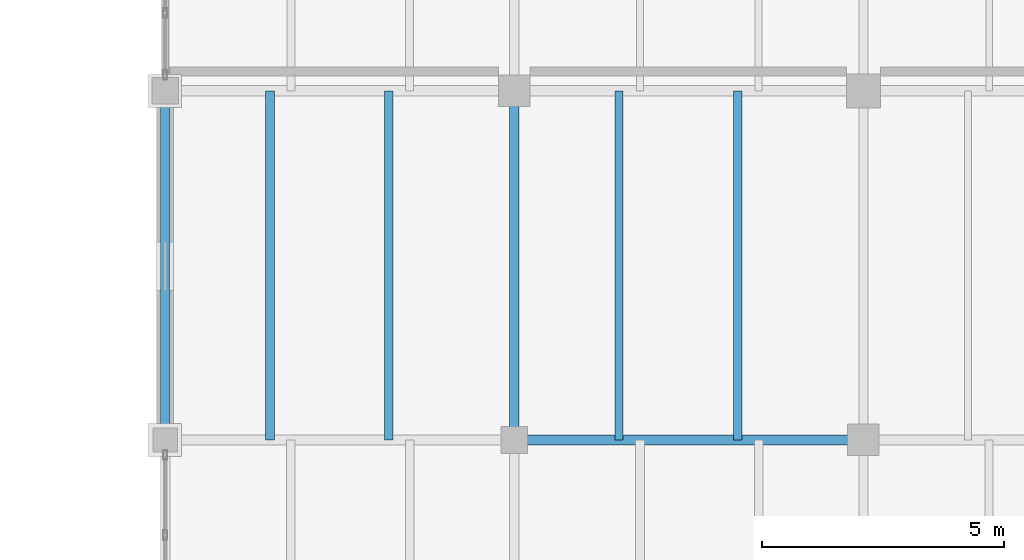
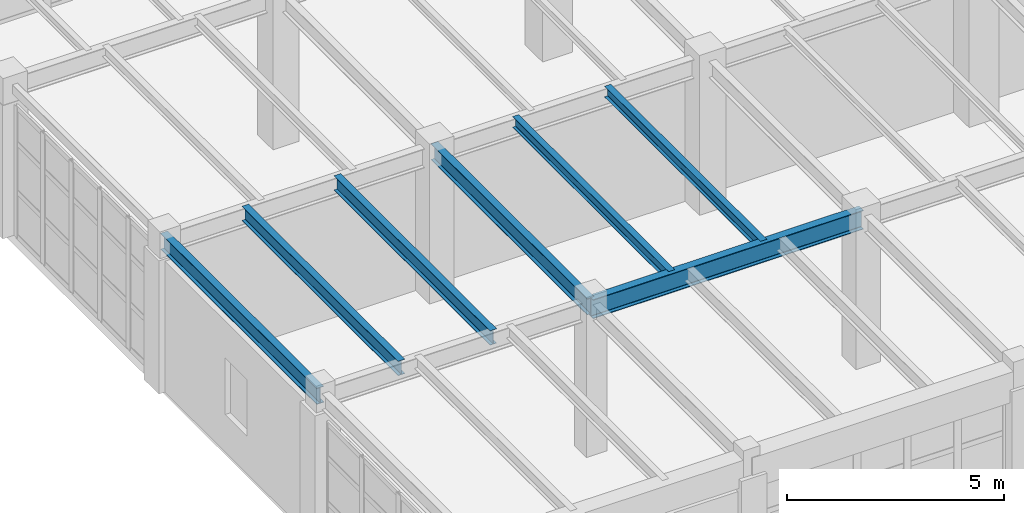
# One storey, part 56 of 137: 7 beams.
"""IFC4 building model written with IfcOpenShell, lengths in metres."""

from ifc_helpers import new_model, si_unit, direction, frame, origin, origin_2d, place, context, subcontext, project, spatial, i_section, extrude, material, material_profile, profile_set, type_object, element, save


model = new_model("IFC4")

# Units and contexts
model_context = context("Model", 3, precision=1e-05, world=origin(), true_north=direction((0.0, 1.0)))
body_context = subcontext(model_context, "Body", "Model", "MODEL_VIEW")
ifc_project = project(units=[si_unit("LENGTHUNIT", "METRE"), si_unit("AREAUNIT", "SQUARE_METRE"), si_unit("VOLUMEUNIT", "CUBIC_METRE"), si_unit("PLANEANGLEUNIT", "RADIAN"), si_unit("MASSUNIT", "GRAM", prefix="KILO")], contexts=[model_context])

# Site, building, storey
site_placement = place(None, origin())
site = spatial("IfcSite", under=ifc_project, at=site_placement, CompositionType="ELEMENT")
building_placement = place(site_placement, origin())
building = spatial("IfcBuilding", under=site, at=building_placement, Name="Kemerveld Promenade Tramway Depot", CompositionType="ELEMENT")
storey_placement = place(building_placement, frame((0.0, 0.0, 5.39990234375)))
storey = spatial("IfcBuildingStorey", under=building, at=storey_placement, Name="L01", CompositionType="ELEMENT", Elevation=5.39990234375)

# Beams
ifc_material = material(Name="Steel S355", Category="steel")
ifc_material_profile_1 = material_profile(ifc_material, i_section(OverallWidth=0.2099609375, OverallDepth=0.53662109375, WebThickness=0.0107421875, FlangeThickness=0.017333984375, FilletRadius=0.0126953125, at=origin_2d()), Name="533x210x101 UB")
ifc_profile_set_1 = profile_set([ifc_material_profile_1], Name="Steel S355")
beam_type_1 = type_object("IfcBeamType", Name="BM-G05", PredefinedType="BEAM", material=ifc_profile_set_1)
beam_placement = place(storey_placement, frame((122.39990234375, 57.60009765625, 3.9716796875), z_axis=(1.0, 0.0, 0.0), x_axis=(0.0, 1.0, 0.0)))
element("IfcBeam", 1, at=beam_placement, inside=storey, type_object=beam_type_1, Name="BMX-L01-18-19-J", PredefinedType="BEAM", context=body_context, shape_type="SweptSolid", body=[
    extrude(i_section(OverallWidth=0.2099609375, OverallDepth=0.53662109375, WebThickness=0.0107421875, FlangeThickness=0.017333984375, FilletRadius=0.0126953125, at=origin_2d()), origin(), (0.0, 0.0, 1.0), 7.2001953125),
])
ifc_material_profile_2 = material_profile(ifc_material, i_section(OverallWidth=0.19140625, OverallDepth=0.4599609375, WebThickness=0.010009765625, FlangeThickness=0.01611328125, FilletRadius=0.01025390625, at=origin_2d()), Name="457x191x82 UB")
ifc_profile_set_2 = profile_set([ifc_material_profile_2], Name="Steel S355")
beam_type_2 = type_object("IfcBeamType", Name="BM-G06", PredefinedType="BEAM", material=ifc_profile_set_2)
for number, where, z_axis, x_axis, name in (
    (2, (115.199951171875, 57.60009765625, 4.010009765625), (0.0, 1.0, 0.0), (-1.0, 0.0, 0.0), "BMY-L01-17-J-K"),
    (3, (122.39990234375, 57.60009765625, 4.010009765625), (0.0, 1.0, 0.0), (-1.0, 0.0, 0.0), "BMY-L01-18-J-K"),
):
    element("IfcBeam", number, at=place(storey_placement, frame(where, z_axis=z_axis, x_axis=x_axis)), inside=storey, type_object=beam_type_2, Name=name, PredefinedType="BEAM", context=body_context, shape_type="SweptSolid", body=[
        extrude(i_section(OverallWidth=0.19140625, OverallDepth=0.4599609375, WebThickness=0.010009765625, FlangeThickness=0.01611328125, FilletRadius=0.01025390625, at=origin_2d()), origin(), (0.0, 0.0, 1.0), 7.199951171875),
    ])
ifc_material_profile_3 = material_profile(ifc_material, i_section(OverallWidth=0.165771484375, OverallDepth=0.306640625, WebThickness=0.006591796875, FlangeThickness=0.01171875, FilletRadius=0.0087890625, at=origin_2d()), Name="305x165x46 UB")
ifc_profile_set_3 = profile_set([ifc_material_profile_3], Name="Steel S355")
beam_type_3 = type_object("IfcBeamType", Name="BM-J01", PredefinedType="JOIST", material=ifc_profile_set_3)
for number, where, z_axis, x_axis, name in (
    (4, (124.56005859375, 57.60009765625, 4.0869140625), (0.0, 1.0, 0.0), (-1.0, 0.0, 0.0), "JST-L01-18-J-1"),
    (5, (127.008056640625, 57.60009765625, 4.0869140625), (0.0, 1.0, 0.0), (-1.0, 0.0, 0.0), "JST-L01-18-J-2"),
):
    element("IfcBeam", number, at=place(storey_placement, frame(where, z_axis=z_axis, x_axis=x_axis)), inside=storey, type_object=beam_type_3, Name=name, PredefinedType="JOIST", context=body_context, shape_type="SweptSolid", body=[
        extrude(i_section(OverallWidth=0.165771484375, OverallDepth=0.306640625, WebThickness=0.006591796875, FlangeThickness=0.01171875, FilletRadius=0.0087890625, at=origin_2d()), origin(), (0.0, 0.0, 1.0), 7.199951171875),
    ])
ifc_material_profile_4 = material_profile(ifc_material, i_section(OverallWidth=0.1787109375, OverallDepth=0.409423828125, WebThickness=0.0087890625, FlangeThickness=0.014404296875, FilletRadius=0.01025390625, at=origin_2d()), Name="406x178x67 UB")
ifc_profile_set_4 = profile_set([ifc_material_profile_4], Name="Steel S355")
beam_type_4 = type_object("IfcBeamType", Name="BM-J05", PredefinedType="JOIST", material=ifc_profile_set_4)
for number, where, z_axis, x_axis, name in (
    (6, (117.360107421875, 57.60009765625, 4.035400390625), (0.0, 1.0, 0.0), (-1.0, 0.0, 0.0), "JST-L01-17-J-1"),
    (7, (119.80810546875, 57.60009765625, 4.035400390625), (0.0, 1.0, 0.0), (-1.0, 0.0, 0.0), "JST-L01-17-J-2"),
):
    element("IfcBeam", number, at=place(storey_placement, frame(where, z_axis=z_axis, x_axis=x_axis)), inside=storey, type_object=beam_type_4, Name=name, PredefinedType="JOIST", context=body_context, shape_type="SweptSolid", body=[
        extrude(i_section(OverallWidth=0.1787109375, OverallDepth=0.409423828125, WebThickness=0.0087890625, FlangeThickness=0.014404296875, FilletRadius=0.01025390625, at=origin_2d()), origin(), (0.0, 0.0, 1.0), 7.199951171875),
    ])

save(model, "model.ifc")
